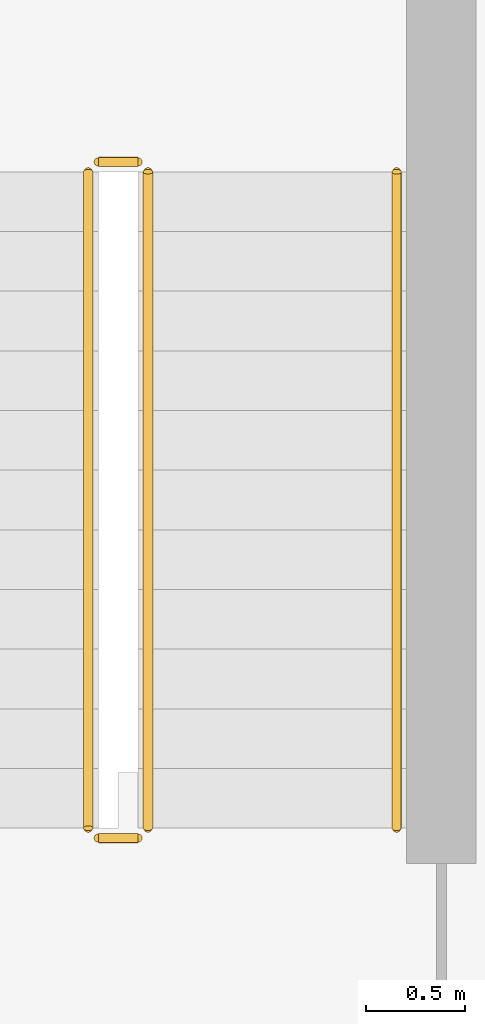
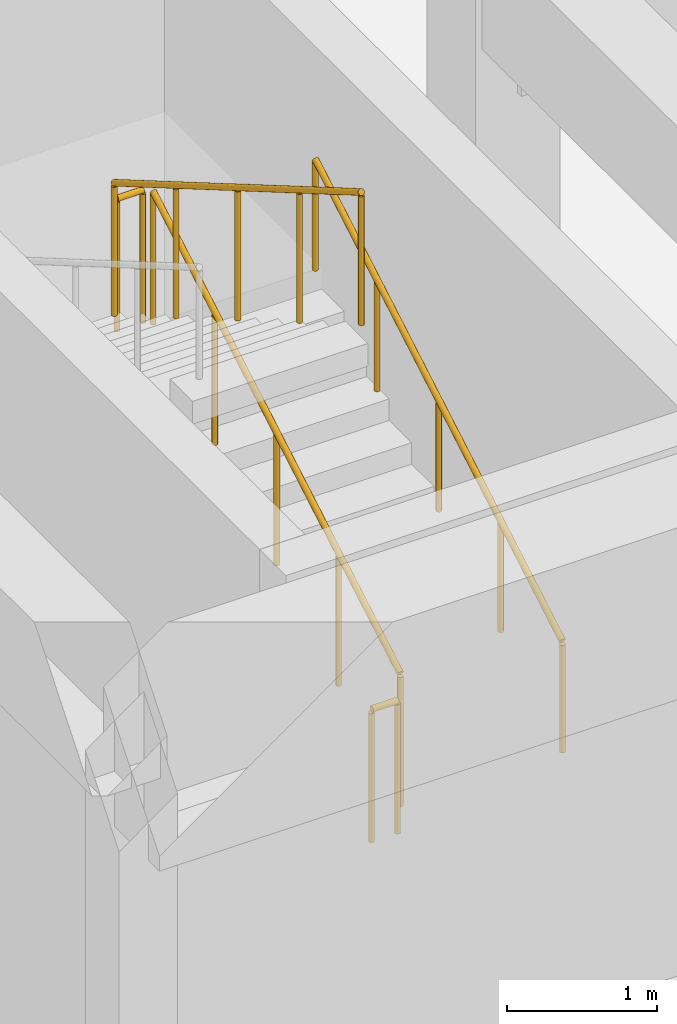
# One storey, part 127 of 130: 5 railings.
"""IFC4 building model written with IfcOpenShell, lengths in metres."""

from ifc_helpers import new_model, si_unit, direction, frame, origin, origin_2d, place, context, subcontext, project, spatial, circle, extrude, material, type_object, element, save


model = new_model("IFC4")

# Units and contexts
model_context = context("Model", 3, precision=1e-05, world=origin(), true_north=direction((0.0, 1.0)))
body_context = subcontext(model_context, "Body", "Model", "MODEL_VIEW")
ifc_project = project(units=[si_unit("LENGTHUNIT", "METRE"), si_unit("AREAUNIT", "SQUARE_METRE"), si_unit("VOLUMEUNIT", "CUBIC_METRE"), si_unit("PLANEANGLEUNIT", "RADIAN"), si_unit("MASSUNIT", "GRAM", prefix="KILO")], contexts=[model_context])

# Site, building, storey
site_placement = place(None, origin())
site = spatial("IfcSite", under=ifc_project, at=site_placement, CompositionType="ELEMENT")
building_placement = place(site_placement, origin())
building = spatial("IfcBuilding", under=site, at=building_placement, Name="Karori Crest Natural Sciences Institute", CompositionType="ELEMENT")
storey_placement = place(building_placement, frame((0.0, 0.0, 17.5)))
storey = spatial("IfcBuildingStorey", under=building, at=storey_placement, Name="L04", CompositionType="ELEMENT", Elevation=17.5)

# Railings
ifc_material_1 = material(Name="Stainless steel 316 tubular handrail", Category="steel")
railing_type_1 = type_object("IfcRailingType", Name="RLT-HND", PredefinedType="HANDRAIL", material=ifc_material_1)
railing_1_placement = place(storey_placement, frame((12.050048828125, 97.300048828125, 0.175048828125)))
element("IfcRailing", 1, at=railing_1_placement, inside=storey, type_object=railing_type_1, Name="Stair handrail RL-0261", PredefinedType="HANDRAIL", context=body_context, shape_type="SweptSolid", body=[
    extrude(circle(Radius=0.02392578125, at=origin_2d()), frame((0.0, 0.0, 0.90087890625), z_axis=(0.0, 0.863776583165, 0.503874998761), x_axis=(-1.0, 0.0, 0.0)), (0.0, 0.0, 1.0), 3.820556640625),
    extrude(circle(Radius=0.02099609375, at=origin_2d()), origin(), (0.0, 0.0, 1.0), 0.876953125),
    extrude(circle(Radius=0.02099609375, at=origin_2d()), frame((0.0, 0.824951171875, 0.481201171875)), (0.0, 0.0, 1.0), 0.876953125),
    extrude(circle(Radius=0.02099609375, at=origin_2d()), frame((0.0, 1.64990234375, 0.96240234375)), (0.0, 0.0, 1.0), 0.876953125),
    extrude(circle(Radius=0.02099609375, at=origin_2d()), frame((0.0, 2.47509765625, 1.44384765625)), (0.0, 0.0, 1.0), 0.876953125),
    extrude(circle(Radius=0.02099609375, at=origin_2d()), frame((0.0, 3.300048828125, 1.925048828125)), (0.0, 0.0, 1.0), 0.876953125),
])
ifc_material_2 = material(Name="Stainless steel 316 stair guard", Category="steel")
railing_type_2 = type_object("IfcRailingType", Name="RLT-STG", PredefinedType="GUARDRAIL", material=ifc_material_2)
railing_2_placement = place(storey_placement, frame((10.800048828125, 97.300048828125, 0.175048828125)))
element("IfcRailing", 2, at=railing_2_placement, inside=storey, type_object=railing_type_2, Name="Stair guard RL-0257", PredefinedType="GUARDRAIL", context=body_context, shape_type="SweptSolid", body=[
    extrude(circle(Radius=0.02392578125, at=origin_2d()), frame((0.0, 0.0, 1.076171875), z_axis=(0.0, 0.863776583165, 0.503874998761), x_axis=(-1.0, 0.0, 0.0)), (0.0, 0.0, 1.0), 3.820556640625),
    extrude(circle(Radius=0.02099609375, at=origin_2d()), origin(), (0.0, 0.0, 1.0), 1.052001953125),
    extrude(circle(Radius=0.02099609375, at=origin_2d()), frame((0.0, 0.824951171875, 0.481201171875)), (0.0, 0.0, 1.0), 1.052001953125),
    extrude(circle(Radius=0.02099609375, at=origin_2d()), frame((0.0, 1.64990234375, 0.96240234375)), (0.0, 0.0, 1.0), 1.052001953125),
    extrude(circle(Radius=0.02099609375, at=origin_2d()), frame((0.0, 2.47509765625, 1.44384765625)), (0.0, 0.0, 1.0), 1.052001953125),
    extrude(circle(Radius=0.02099609375, at=origin_2d()), frame((0.0, 3.300048828125, 1.925048828125)), (0.0, 0.0, 1.0), 1.052001953125),
])
railing_3_placement = place(storey_placement, frame((10.75, 100.64990234375, 2.10009765625)))
element("IfcRailing", 3, at=railing_3_placement, inside=storey, type_object=railing_type_2, Name="Stair guard RL-0258", PredefinedType="GUARDRAIL", context=body_context, shape_type="SweptSolid", body=[
    extrude(circle(Radius=0.02392578125, at=origin_2d()), frame((0.0, 0.0, 1.076171875), z_axis=(-1.0, 0.0, 0.0), x_axis=(0.0, -1.0, 0.0)), (0.0, 0.0, 1.0), 0.199951171875),
    extrude(circle(Radius=0.02099609375, at=origin_2d()), origin(), (0.0, 0.0, 1.0), 1.052001953125),
    extrude(circle(Radius=0.02099609375, at=origin_2d()), frame((-0.199951171875, 0.0, 0.0)), (0.0, 0.0, 1.0), 1.052001953125),
])
railing_4_placement = place(storey_placement, frame((10.5, 100.60009765625, 2.27490234375)))
element("IfcRailing", 4, at=railing_4_placement, inside=storey, type_object=railing_type_2, Name="Stair guard RL-0259", PredefinedType="GUARDRAIL", context=body_context, shape_type="SweptSolid", body=[
    extrude(circle(Radius=0.02392578125, at=origin_2d()), frame((0.0, 0.0, 1.076171875), z_axis=(0.0, -0.863776583165, 0.503874998761), x_axis=(1.0, 0.0, 0.0)), (0.0, 0.0, 1.0), 3.820556640625),
    extrude(circle(Radius=0.02099609375, at=origin_2d()), origin(), (0.0, 0.0, 1.0), 1.052001953125),
    extrude(circle(Radius=0.02099609375, at=origin_2d()), frame((0.0, -0.824951171875, 0.481201171875)), (0.0, 0.0, 1.0), 1.052001953125),
    extrude(circle(Radius=0.02099609375, at=origin_2d()), frame((0.0, -1.64990234375, 0.96240234375)), (0.0, 0.0, 1.0), 1.052001953125),
    extrude(circle(Radius=0.02099609375, at=origin_2d()), frame((0.0, -2.47509765625, 1.44384765625)), (0.0, 0.0, 1.0), 1.052001953125),
    extrude(circle(Radius=0.02099609375, at=origin_2d()), frame((0.0, -3.300048828125, 1.925048828125)), (0.0, 0.0, 1.0), 1.052001953125),
])
railing_5_placement = place(storey_placement, frame((10.75, 97.25, 0.0)))
element("IfcRailing", 5, at=railing_5_placement, inside=storey, type_object=railing_type_2, Name="Stair guard RL-0260", PredefinedType="GUARDRAIL", context=body_context, shape_type="SweptSolid", body=[
    extrude(circle(Radius=0.02392578125, at=origin_2d()), frame((0.0, 0.0, 1.076171875), z_axis=(-1.0, 0.0, 0.0), x_axis=(0.0, -1.0, 0.0)), (0.0, 0.0, 1.0), 0.199951171875),
    extrude(circle(Radius=0.02099609375, at=origin_2d()), origin(), (0.0, 0.0, 1.0), 1.052001953125),
    extrude(circle(Radius=0.02099609375, at=origin_2d()), frame((-0.199951171875, 0.0, 0.0)), (0.0, 0.0, 1.0), 1.052001953125),
])

save(model, "model.ifc")
